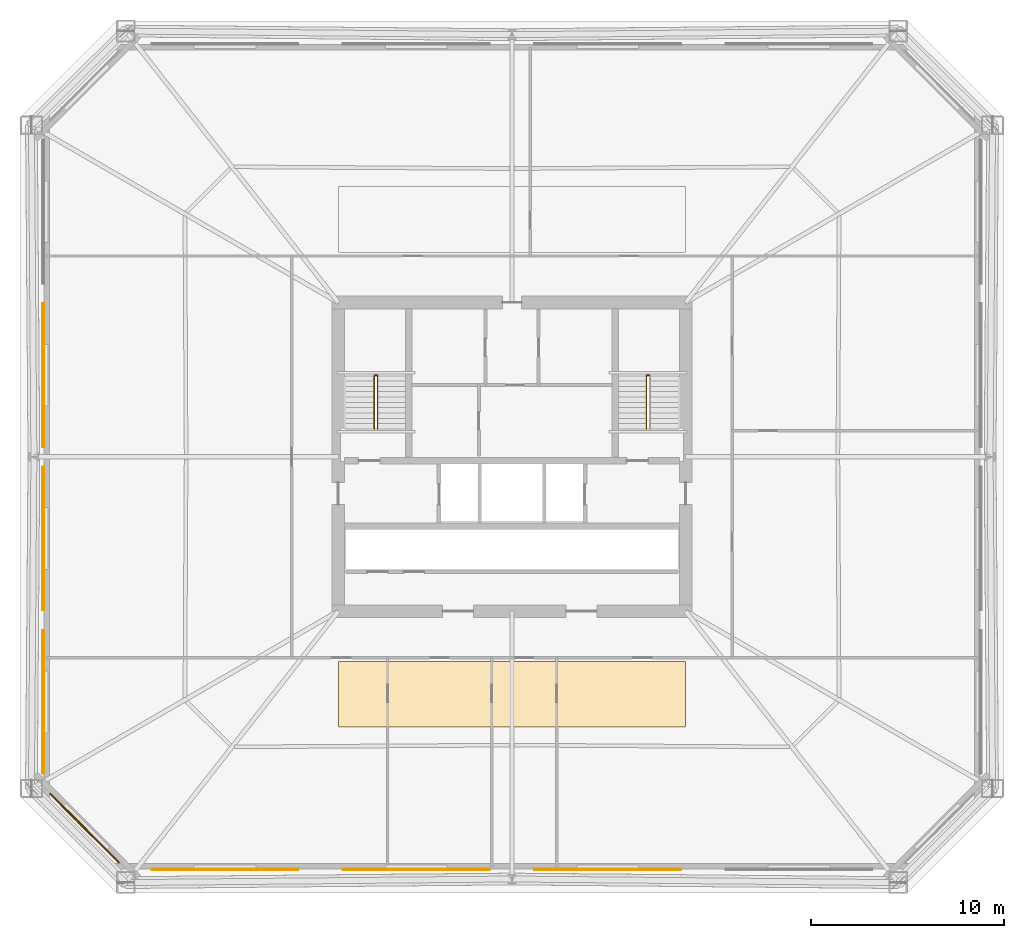
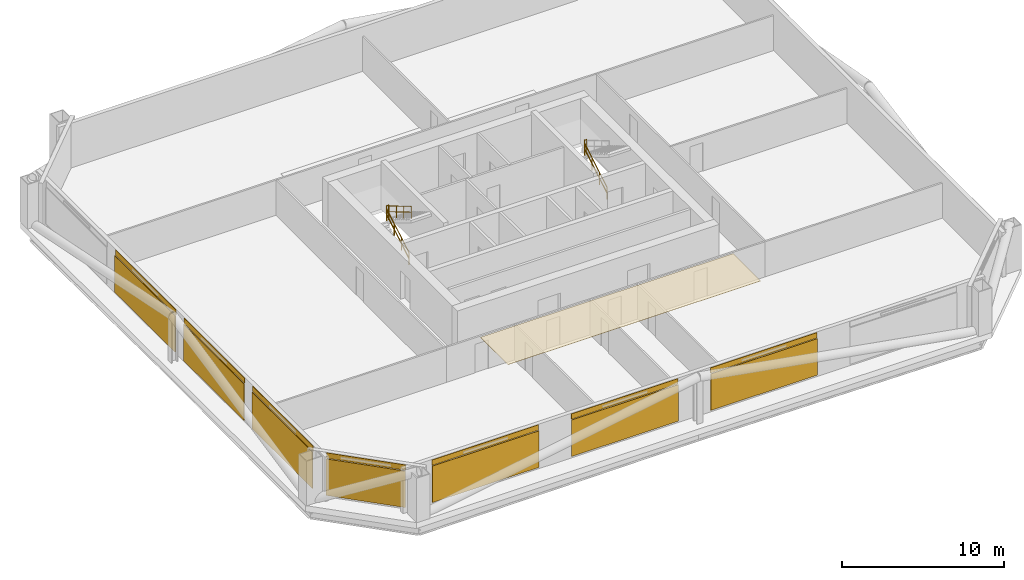
# One storey, part 7 of 8: 8 coverings, 7 shading devices, 5 railings.
"""IFC4 building model written with IfcOpenShell, lengths in metres."""

from ifc_helpers import new_model, si_unit, direction, frame, origin, origin_2d, place, context, subcontext, project, spatial, polyline, rectangle, circle, outline, extrude, material, layer, layer_set, type_object, element, save


model = new_model("IFC4")

# Units and contexts
model_context = context("Model", 3, precision=1e-05, world=origin(), true_north=direction((0.0, 1.0)))
body_context = subcontext(model_context, "Body", "Model", "MODEL_VIEW")
ifc_project = project(units=[si_unit("LENGTHUNIT", "METRE"), si_unit("AREAUNIT", "SQUARE_METRE"), si_unit("VOLUMEUNIT", "CUBIC_METRE"), si_unit("PLANEANGLEUNIT", "RADIAN"), si_unit("MASSUNIT", "GRAM", prefix="KILO")], contexts=[model_context])

# Site, building, storey
site_placement = place(None, origin())
site = spatial("IfcSite", under=ifc_project, at=site_placement, CompositionType="ELEMENT")
building_placement = place(site_placement, origin())
building = spatial("IfcBuilding", under=site, at=building_placement, Name="Caelvoria Tower", CompositionType="ELEMENT")
storey_placement = place(building_placement, frame((0.0, 0.0, 49.60009765625)))
storey = spatial("IfcBuildingStorey", under=building, at=storey_placement, Name="L12", CompositionType="ELEMENT", Elevation=49.60009765625)

# Coverings
ifc_material_1 = material(Name="Acoustic Mineral Fibre Tile", Category="gypsum")
ifc_layer_1 = layer(ifc_material_1, 0.02490234375, Name="Acoustic Mineral Fibre Tile")
ifc_layer_set_1 = layer_set([ifc_layer_1], Name="Mineral-Fibre Acoustic Suspended Ceiling 25 - Acoustic Mineral Fibre Tile")
covering_type_1 = type_object("IfcCoveringType", Name="Mineral-Fibre Acoustic Suspended Ceiling 25", PredefinedType="CEILING", material=ifc_layer_set_1)
covering_1_placement = place(storey_placement, frame((0.0, 0.0, 2.635009765625)))
element("IfcCovering", 1, at=covering_1_placement, inside=storey, type_object=covering_type_1, Name="Suspended Acoustic Ceiling L12", PredefinedType="CEILING", context=body_context, shape_type="SweptSolid", body=[
    extrude(outline(polyline([(37.0, 18.0), (55.0, 18.0), (55.0, 21.39990234375), (37.0, 21.39990234375), (37.0, 18.0)])), origin(), (0.0, 0.0, 1.0), 0.02490234375),
])
ifc_material_2 = material(Name="Perforated Architectural Bronze Cladding Screen", Category="bronze")
ifc_layer_2 = layer(ifc_material_2, 0.0400390625, Name="Perforated Architectural Bronze Cladding Screen")
ifc_layer_set_2 = layer_set([ifc_layer_2], Name="Perforated Bronze Louvre Cladding Band 40 - Perforated Architectural Bronze Cladding Screen")
covering_type_2 = type_object("IfcCoveringType", Name="Perforated Bronze Louvre Cladding Band 40", PredefinedType="CLADDING", material=ifc_layer_set_2)
for number, where, z_axis, x_axis, name in (
    (2, (31.1201171875, 10.6279296875, 2.93994140625), (0.0, 0.0, 1.0), (1.0, 0.0, 0.0), "Perforated Bronze Screen Band L12-E0-00"),
    (3, (41.0400390625, 10.6279296875, 2.93994140625), (0.0, 0.0, 1.0), (1.0, 0.0, 0.0), "Perforated Bronze Screen Band L12-E0-01"),
    (4, (50.9599609375, 10.6279296875, 2.93994140625), (0.0, 0.0, 1.0), (1.0, 0.0, 0.0), "Perforated Bronze Screen Band L12-E0-02"),
):
    element("IfcCovering", number, at=place(storey_placement, frame(where, z_axis=z_axis, x_axis=x_axis)), inside=storey, type_object=covering_type_2, Name=name, PredefinedType="CLADDING", context=body_context, shape_type="SweptSolid", body=[
        extrude(rectangle(XDim=7.60009765625, YDim=0.0400390625, at=origin_2d()), origin(), (0.0, 0.0, 1.0), 0.39990234375),
    ])
for number, where, z_axis, x_axis, name in (
    (5, (21.72802734375, 36.235107421875, 2.93994140625), (0.0, 0.0, 1.0), (0.0, -1.0, 0.0), "Perforated Bronze Screen Band L12-E6-01"),
    (6, (21.72802734375, 27.764892578125, 2.93994140625), (0.0, 0.0, 1.0), (0.0, -1.0, 0.0), "Perforated Bronze Screen Band L12-E6-02"),
    (7, (21.72802734375, 19.294921875, 2.93994140625), (0.0, 0.0, 1.0), (0.0, -1.0, 0.0), "Perforated Bronze Screen Band L12-E6-03"),
):
    element("IfcCovering", number, at=place(storey_placement, frame(where, z_axis=z_axis, x_axis=x_axis)), inside=storey, type_object=covering_type_2, Name=name, PredefinedType="CLADDING", context=body_context, shape_type="SweptSolid", body=[
        extrude(rectangle(XDim=7.45361328125, YDim=0.0400390625, at=origin_2d()), origin(), (0.0, 0.0, 1.0), 0.39990234375),
    ])
covering_2_placement = place(storey_placement, frame((23.868408203125, 12.768310546875, 2.93994140625), z_axis=(0.0, 0.0, 1.0), x_axis=(0.707106781187, -0.707106781187, 0.0)))
element("IfcCovering", 8, at=covering_2_placement, inside=storey, type_object=covering_type_2, Name="Perforated Bronze Screen Band L12-E7-00", PredefinedType="CLADDING", context=body_context, shape_type="SweptSolid", body=[
    extrude(rectangle(XDim=5.060791015625, YDim=0.0400390625, at=origin_2d()), origin(), (0.0, 0.0, 1.0), 0.39990234375),
])

# Shading devices
ifc_material_3 = material(Name="Perforated Architectural Bronze Alloy Panel", Category="bronze")
ifc_layer_3 = layer(ifc_material_3, 0.044921875, Name="Perforated Architectural Bronze Alloy Panel")
ifc_layer_set_3 = layer_set([ifc_layer_3], Name="Perforated Bronze Solar Screen Panel SCREEN - Perforated Architectural Bronze Alloy Panel")
shading_device_type = type_object("IfcShadingDeviceType", Name="Perforated Bronze Solar Screen Panel SCREEN", PredefinedType="USERDEFINED", material=ifc_layer_set_3)
for number, where, z_axis, x_axis, name in (
    (9, (31.1201171875, 10.5849609375, 0.159912109375), (0.0, 0.0, 1.0), (1.0, 0.0, 0.0), "Perforated Bronze Solar Screen L12-E0-00"),
    (10, (41.0400390625, 10.5849609375, 0.159912109375), (0.0, 0.0, 1.0), (1.0, 0.0, 0.0), "Perforated Bronze Solar Screen L12-E0-01"),
    (11, (50.9599609375, 10.5849609375, 0.159912109375), (0.0, 0.0, 1.0), (1.0, 0.0, 0.0), "Perforated Bronze Solar Screen L12-E0-02"),
):
    element("IfcShadingDevice", number, at=place(storey_placement, frame(where, z_axis=z_axis, x_axis=x_axis)), inside=storey, type_object=shading_device_type, Name=name, ObjectType="SCREEN", PredefinedType="USERDEFINED", context=body_context, shape_type="SweptSolid", body=[
        extrude(rectangle(XDim=7.60009765625, YDim=0.044921875, at=origin_2d()), origin(), (0.0, 0.0, 1.0), 2.75),
    ])
for number, where, z_axis, x_axis, name in (
    (12, (21.68505859375, 36.235107421875, 0.159912109375), (0.0, 0.0, 1.0), (0.0, -1.0, 0.0), "Perforated Bronze Solar Screen L12-E6-01"),
    (13, (21.68505859375, 27.764892578125, 0.159912109375), (0.0, 0.0, 1.0), (0.0, -1.0, 0.0), "Perforated Bronze Solar Screen L12-E6-02"),
    (14, (21.68505859375, 19.294921875, 0.159912109375), (0.0, 0.0, 1.0), (0.0, -1.0, 0.0), "Perforated Bronze Solar Screen L12-E6-03"),
):
    element("IfcShadingDevice", number, at=place(storey_placement, frame(where, z_axis=z_axis, x_axis=x_axis)), inside=storey, type_object=shading_device_type, Name=name, ObjectType="SCREEN", PredefinedType="USERDEFINED", context=body_context, shape_type="SweptSolid", body=[
        extrude(rectangle(XDim=7.45361328125, YDim=0.044921875, at=origin_2d()), origin(), (0.0, 0.0, 1.0), 2.75),
    ])
shading_device_placement = place(storey_placement, frame((23.837890625, 12.73779296875, 0.159912109375), z_axis=(0.0, 0.0, 1.0), x_axis=(0.707106781187, -0.707106781187, 0.0)))
element("IfcShadingDevice", 15, at=shading_device_placement, inside=storey, type_object=shading_device_type, Name="Perforated Bronze Solar Screen L12-E7-00", ObjectType="SCREEN", PredefinedType="USERDEFINED", context=body_context, shape_type="SweptSolid", body=[
    extrude(rectangle(XDim=5.060791015625, YDim=0.044921875, at=origin_2d()), origin(), (0.0, 0.0, 1.0), 2.75),
])

# Railings
ifc_material_4 = material(Name="Brushed Stainless Steel Tube", Category="steel")
railing_type_1 = type_object("IfcRailingType", Name="Stair Tubular Stainless Handrail 920", PredefinedType="HANDRAIL", material=ifc_material_4)
railing_1_placement = place(storey_placement, frame((38.8701171875, 33.449951171875, 0.16357421875)))
element("IfcRailing", 16, at=railing_1_placement, inside=storey, type_object=railing_type_1, Name="ST-01 Flight 1 Handrail L12", PredefinedType="HANDRAIL", context=body_context, shape_type="SweptSolid", body=[
    extrude(circle(Radius=0.02392578125, at=origin_2d()), frame((0.0, 0.0, 0.89599609375), z_axis=(0.0, 0.859385484447, 0.511328259656), x_axis=(-1.0, 0.0, 0.0)), (0.0, 0.0, 1.0), 3.199951171875),
    extrude(circle(Radius=0.02392578125, at=origin_2d()), frame((0.0, 0.0, 0.4599609375), z_axis=(0.0, 0.859385484447, 0.511328259656), x_axis=(-1.0, 0.0, 0.0)), (0.0, 0.0, 1.0), 3.199951171875),
    extrude(circle(Radius=0.02099609375, at=origin_2d()), origin(), (0.0, 0.0, 1.0), 0.871826171875),
    extrude(circle(Radius=0.02099609375, at=origin_2d()), frame((0.0, 0.916748046875, 0.54541015625)), (0.0, 0.0, 1.0), 0.871826171875),
    extrude(circle(Radius=0.02099609375, at=origin_2d()), frame((0.0, 1.833251953125, 1.0908203125)), (0.0, 0.0, 1.0), 0.871826171875),
    extrude(circle(Radius=0.02099609375, at=origin_2d()), frame((0.0, 2.75, 1.63623046875)), (0.0, 0.0, 1.0), 0.871826171875),
])
railing_2_placement = place(storey_placement, frame((39.030029296875, 36.199951171875, 1.963623046875)))
element("IfcRailing", 17, at=railing_2_placement, inside=storey, type_object=railing_type_1, Name="ST-01 Flight 2 Handrail L12", PredefinedType="HANDRAIL", context=body_context, shape_type="SweptSolid", body=[
    extrude(circle(Radius=0.02392578125, at=origin_2d()), frame((0.0, 0.0, 0.89599609375), z_axis=(0.0, -0.859385484447, 0.511328259656), x_axis=(1.0, 0.0, 0.0)), (0.0, 0.0, 1.0), 3.199951171875),
    extrude(circle(Radius=0.02392578125, at=origin_2d()), frame((0.0, 0.0, 0.4599609375), z_axis=(0.0, -0.859385484447, 0.511328259656), x_axis=(1.0, 0.0, 0.0)), (0.0, 0.0, 1.0), 3.199951171875),
    extrude(circle(Radius=0.02099609375, at=origin_2d()), origin(), (0.0, 0.0, 1.0), 0.871826171875),
    extrude(circle(Radius=0.02099609375, at=origin_2d()), frame((0.0, -0.916748046875, 0.54541015625)), (0.0, 0.0, 1.0), 0.871826171875),
    extrude(circle(Radius=0.02099609375, at=origin_2d()), frame((0.0, -1.833251953125, 1.0908203125)), (0.0, 0.0, 1.0), 0.871826171875),
    extrude(circle(Radius=0.02099609375, at=origin_2d()), frame((0.0, -2.75, 1.63623046875)), (0.0, 0.0, 1.0), 0.871826171875),
])
railing_3_placement = place(storey_placement, frame((52.969970703125, 33.449951171875, 0.16357421875)))
element("IfcRailing", 18, at=railing_3_placement, inside=storey, type_object=railing_type_1, Name="ST-02 Flight 1 Handrail L12", PredefinedType="HANDRAIL", context=body_context, shape_type="SweptSolid", body=[
    extrude(circle(Radius=0.02392578125, at=origin_2d()), frame((0.0, 0.0, 0.89599609375), z_axis=(0.0, 0.859385484447, 0.511328259656), x_axis=(-1.0, 0.0, 0.0)), (0.0, 0.0, 1.0), 3.199951171875),
    extrude(circle(Radius=0.02392578125, at=origin_2d()), frame((0.0, 0.0, 0.4599609375), z_axis=(0.0, 0.859385484447, 0.511328259656), x_axis=(-1.0, 0.0, 0.0)), (0.0, 0.0, 1.0), 3.199951171875),
    extrude(circle(Radius=0.02099609375, at=origin_2d()), origin(), (0.0, 0.0, 1.0), 0.871826171875),
    extrude(circle(Radius=0.02099609375, at=origin_2d()), frame((0.0, 0.916748046875, 0.54541015625)), (0.0, 0.0, 1.0), 0.871826171875),
    extrude(circle(Radius=0.02099609375, at=origin_2d()), frame((0.0, 1.833251953125, 1.0908203125)), (0.0, 0.0, 1.0), 0.871826171875),
    extrude(circle(Radius=0.02099609375, at=origin_2d()), frame((0.0, 2.75, 1.63623046875)), (0.0, 0.0, 1.0), 0.871826171875),
])
ifc_material_5 = material(Name="Brushed Stainless Steel Guardrail", Category="steel")
railing_type_2 = type_object("IfcRailingType", Name="Stair Well and Ramp Guardrail 1120", PredefinedType="GUARDRAIL", material=ifc_material_5)
for number, where, name in (
    (19, (38.8701171875, 36.239990234375, 1.7998046875), "ST-01 Half-Landing Well Guard L12"),
    (20, (52.969970703125, 36.239990234375, 1.7998046875), "ST-02 Half-Landing Well Guard L12"),
):
    element("IfcRailing", number, at=place(storey_placement, frame(where)), inside=storey, type_object=railing_type_2, Name=name, PredefinedType="GUARDRAIL", context=body_context, shape_type="SweptSolid", body=[
        extrude(circle(Radius=0.02392578125, at=origin_2d()), frame((0.0, 0.0, 1.09619140625), z_axis=(1.0, 0.0, 0.0), x_axis=(0.0, 1.0, 0.0)), (0.0, 0.0, 1.0), 0.159912109375),
        extrude(circle(Radius=0.02392578125, at=origin_2d()), frame((0.0, 0.0, 0.56005859375), z_axis=(1.0, 0.0, 0.0), x_axis=(0.0, 1.0, 0.0)), (0.0, 0.0, 1.0), 0.159912109375),
        extrude(circle(Radius=0.02099609375, at=origin_2d()), origin(), (0.0, 0.0, 1.0), 1.072021484375),
        extrude(circle(Radius=0.02099609375, at=origin_2d()), frame((0.159912109375, 0.0, 0.0)), (0.0, 0.0, 1.0), 1.072021484375),
    ])

save(model, "model.ifc")
